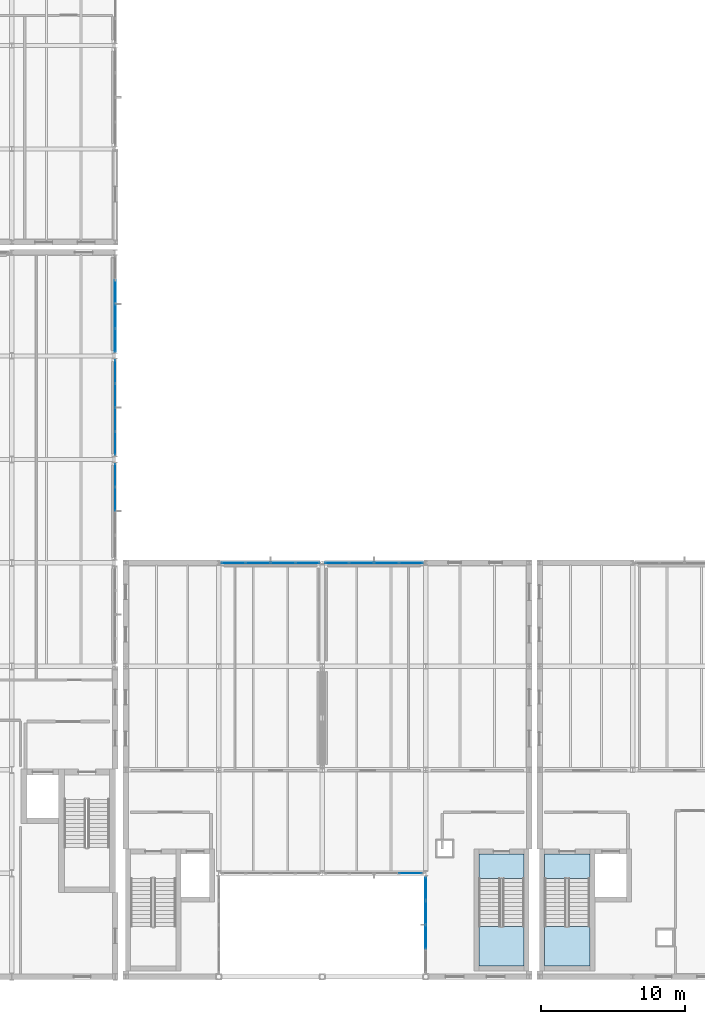
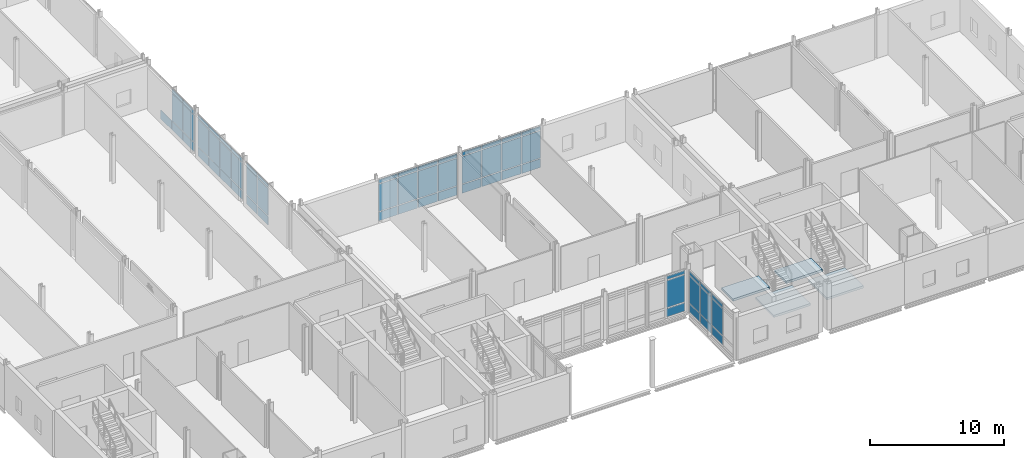
# One storey, part 35 of 72: 61 plates, 4 slabs, 9 elements without a shape of their own.
"""IFC4 building model written with IfcOpenShell, lengths in metres."""

from ifc_helpers import new_model, si_unit, direction, frame, origin, origin_2d, place, context, subcontext, project, spatial, polyline, rectangle, outline, extrude, material, layer, layer_set, type_object, element, aggregate, save


model = new_model("IFC4")

# Units and contexts
model_context = context("Model", 3, precision=1e-05, world=origin(), true_north=direction((0.0, 1.0)))
body_context = subcontext(model_context, "Body", "Model", "MODEL_VIEW")
ifc_project = project(units=[si_unit("LENGTHUNIT", "METRE"), si_unit("AREAUNIT", "SQUARE_METRE"), si_unit("VOLUMEUNIT", "CUBIC_METRE"), si_unit("PLANEANGLEUNIT", "RADIAN"), si_unit("MASSUNIT", "GRAM", prefix="KILO")], contexts=[model_context])

# Site, building, storey
site_placement = place(None, origin())
site = spatial("IfcSite", under=ifc_project, at=site_placement, CompositionType="ELEMENT")
building_placement = place(site_placement, origin())
building = spatial("IfcBuilding", under=site, at=building_placement, Name="Zarrinpeak Specialist Clinic", CompositionType="ELEMENT")
storey_placement = place(building_placement, frame((0.0, 0.0, 9.60009765625)))
storey = spatial("IfcBuildingStorey", under=building, at=storey_placement, Name="L02", CompositionType="ELEMENT", Elevation=9.60009765625)

# Curtain wall, plates
ifc_material_1 = material(Name="Anodised Aluminium Alloy 6063-T6", Category="aluminium")
ifc_layer_1 = layer(ifc_material_1, 0.179931640625)
ifc_layer_set_1 = layer_set([ifc_layer_1], Name="Anodised Aluminium Alloy 6063-T6")
curtain_wall_type_1 = type_object("IfcCurtainWallType", Name="CW-COURT", PredefinedType="NOTDEFINED", material=ifc_layer_set_1)
curtain_wall_1_placement = place(storey_placement, origin())
curtain_wall_1 = element("IfcCurtainWall", 1, at=curtain_wall_1_placement, inside=storey, type_object=curtain_wall_type_1, Name="L02 V1 Unitised Curtain Wall CW-L02-V1-016", PredefinedType="NOTDEFINED")
ifc_material_2 = material(Name="Double Low-E Insulated Glazing", Category="glass")
ifc_layer_2 = layer(ifc_material_2, 0.028076171875)
ifc_layer_set_2 = layer_set([ifc_layer_2], Name="Double Low-E Insulated Glazing")
plate_type_1 = type_object("IfcPlateType", Name="CWP-GLZ28", PredefinedType="CURTAIN_PANEL", material=ifc_layer_set_2)
plate_1_placement = place(storey_placement, frame((28.800048828125, 33.237548828125, 0.074951171875), z_axis=(0.0, 0.0, 1.0), x_axis=(0.0, 1.0, 0.0)))
plate_1 = element("IfcPlate", 2, at=plate_1_placement, type_object=plate_type_1, Name="CW-01 panel 3.1", PredefinedType="CURTAIN_PANEL", context=body_context, shape_type="SweptSolid", body=[
    extrude(rectangle(XDim=1.60009765625, YDim=0.028076171875, at=origin_2d()), origin(), (0.0, 0.0, 1.0), 0.78759765625),
])
plate_2_placement = place(storey_placement, frame((28.800048828125, 33.237548828125, 0.9375), z_axis=(0.0, 0.0, 1.0), x_axis=(0.0, 1.0, 0.0)))
plate_2 = element("IfcPlate", 3, at=plate_2_placement, type_object=plate_type_1, Name="CW-01 panel 3.2", PredefinedType="CURTAIN_PANEL", context=body_context, shape_type="SweptSolid", body=[
    extrude(rectangle(XDim=1.60009765625, YDim=0.028076171875, at=origin_2d()), origin(), (0.0, 0.0, 1.0), 2.4599609375),
])
plate_3_placement = place(storey_placement, frame((28.800048828125, 33.237548828125, 3.472412109375), z_axis=(0.0, 0.0, 1.0), x_axis=(0.0, 1.0, 0.0)))
plate_3 = element("IfcPlate", 4, at=plate_3_placement, type_object=plate_type_1, Name="CW-01 panel 3.3", PredefinedType="CURTAIN_PANEL", context=body_context, shape_type="SweptSolid", body=[
    extrude(rectangle(XDim=1.60009765625, YDim=0.028076171875, at=origin_2d()), origin(), (0.0, 0.0, 1.0), 0.33740234375),
])
plate_4_placement = place(storey_placement, frame((28.800048828125, 34.893798828125, 0.074951171875), z_axis=(0.0, 0.0, 1.0), x_axis=(0.0, 1.0, 0.0)))
plate_4 = element("IfcPlate", 5, at=plate_4_placement, type_object=plate_type_1, Name="CW-01 panel 4.1", PredefinedType="CURTAIN_PANEL", context=body_context, shape_type="SweptSolid", body=[
    extrude(rectangle(XDim=1.5625, YDim=0.028076171875, at=origin_2d()), origin(), (0.0, 0.0, 1.0), 0.78759765625),
])
plate_5_placement = place(storey_placement, frame((28.800048828125, 34.893798828125, 0.9375), z_axis=(0.0, 0.0, 1.0), x_axis=(0.0, 1.0, 0.0)))
plate_5 = element("IfcPlate", 6, at=plate_5_placement, type_object=plate_type_1, Name="CW-01 panel 4.2", PredefinedType="CURTAIN_PANEL", context=body_context, shape_type="SweptSolid", body=[
    extrude(rectangle(XDim=1.5625, YDim=0.028076171875, at=origin_2d()), origin(), (0.0, 0.0, 1.0), 2.4599609375),
])
plate_6_placement = place(storey_placement, frame((28.800048828125, 34.893798828125, 3.472412109375), z_axis=(0.0, 0.0, 1.0), x_axis=(0.0, 1.0, 0.0)))
plate_6 = element("IfcPlate", 7, at=plate_6_placement, type_object=plate_type_1, Name="CW-01 panel 4.3", PredefinedType="CURTAIN_PANEL", context=body_context, shape_type="SweptSolid", body=[
    extrude(rectangle(XDim=1.5625, YDim=0.028076171875, at=origin_2d()), origin(), (0.0, 0.0, 1.0), 0.33740234375),
])
aggregate(curtain_wall_1, [plate_1, plate_2, plate_3, plate_4, plate_5, plate_6])

curtain_wall_2_placement = place(storey_placement, origin())
curtain_wall_2 = element("IfcCurtainWall", 8, at=curtain_wall_2_placement, inside=storey, type_object=curtain_wall_type_1, Name="L02 V1 Unitised Curtain Wall CW-L02-V1-017", PredefinedType="NOTDEFINED")
plate_7_placement = place(storey_placement, frame((28.800048828125, 37.109375, 0.074951171875), z_axis=(0.0, 0.0, 1.0), x_axis=(0.0, 1.0, 0.0)))
plate_7 = element("IfcPlate", 9, at=plate_7_placement, type_object=plate_type_1, Name="CW-01 panel 1.1", PredefinedType="CURTAIN_PANEL", context=body_context, shape_type="SweptSolid", body=[
    extrude(rectangle(XDim=1.56884765625, YDim=0.028076171875, at=origin_2d()), origin(), (0.0, 0.0, 1.0), 0.78759765625),
])
plate_8_placement = place(storey_placement, frame((28.800048828125, 37.109375, 0.9375), z_axis=(0.0, 0.0, 1.0), x_axis=(0.0, 1.0, 0.0)))
plate_8 = element("IfcPlate", 10, at=plate_8_placement, type_object=plate_type_1, Name="CW-01 panel 1.2", PredefinedType="CURTAIN_PANEL", context=body_context, shape_type="SweptSolid", body=[
    extrude(rectangle(XDim=1.56884765625, YDim=0.028076171875, at=origin_2d()), origin(), (0.0, 0.0, 1.0), 2.4599609375),
])
plate_9_placement = place(storey_placement, frame((28.800048828125, 37.109375, 3.472412109375), z_axis=(0.0, 0.0, 1.0), x_axis=(0.0, 1.0, 0.0)))
plate_9 = element("IfcPlate", 11, at=plate_9_placement, type_object=plate_type_1, Name="CW-01 panel 1.3", PredefinedType="CURTAIN_PANEL", context=body_context, shape_type="SweptSolid", body=[
    extrude(rectangle(XDim=1.56884765625, YDim=0.028076171875, at=origin_2d()), origin(), (0.0, 0.0, 1.0), 0.33740234375),
])
plate_10_placement = place(storey_placement, frame((28.800048828125, 38.77197265625, 0.074951171875), z_axis=(0.0, 0.0, 1.0), x_axis=(0.0, 1.0, 0.0)))
plate_10 = element("IfcPlate", 12, at=plate_10_placement, type_object=plate_type_1, Name="CW-01 panel 2.1", PredefinedType="CURTAIN_PANEL", context=body_context, shape_type="SweptSolid", body=[
    extrude(rectangle(XDim=1.606201171875, YDim=0.028076171875, at=origin_2d()), origin(), (0.0, 0.0, 1.0), 0.78759765625),
])
plate_11_placement = place(storey_placement, frame((28.800048828125, 38.77197265625, 0.9375), z_axis=(0.0, 0.0, 1.0), x_axis=(0.0, 1.0, 0.0)))
plate_11 = element("IfcPlate", 13, at=plate_11_placement, type_object=plate_type_1, Name="CW-01 panel 2.2", PredefinedType="CURTAIN_PANEL", context=body_context, shape_type="SweptSolid", body=[
    extrude(rectangle(XDim=1.606201171875, YDim=0.028076171875, at=origin_2d()), origin(), (0.0, 0.0, 1.0), 2.4599609375),
])
plate_12_placement = place(storey_placement, frame((28.800048828125, 38.77197265625, 3.472412109375), z_axis=(0.0, 0.0, 1.0), x_axis=(0.0, 1.0, 0.0)))
plate_12 = element("IfcPlate", 14, at=plate_12_placement, type_object=plate_type_1, Name="CW-01 panel 2.3", PredefinedType="CURTAIN_PANEL", context=body_context, shape_type="SweptSolid", body=[
    extrude(rectangle(XDim=1.606201171875, YDim=0.028076171875, at=origin_2d()), origin(), (0.0, 0.0, 1.0), 0.33740234375),
])
plate_13_placement = place(storey_placement, frame((28.800048828125, 40.453125, 0.074951171875), z_axis=(0.0, 0.0, 1.0), x_axis=(0.0, 1.0, 0.0)))
plate_13 = element("IfcPlate", 15, at=plate_13_placement, type_object=plate_type_1, Name="CW-01 panel 3.1", PredefinedType="CURTAIN_PANEL", context=body_context, shape_type="SweptSolid", body=[
    extrude(rectangle(XDim=1.606201171875, YDim=0.028076171875, at=origin_2d()), origin(), (0.0, 0.0, 1.0), 0.78759765625),
])
plate_14_placement = place(storey_placement, frame((28.800048828125, 40.453125, 0.9375), z_axis=(0.0, 0.0, 1.0), x_axis=(0.0, 1.0, 0.0)))
plate_14 = element("IfcPlate", 16, at=plate_14_placement, type_object=plate_type_1, Name="CW-01 panel 3.2", PredefinedType="CURTAIN_PANEL", context=body_context, shape_type="SweptSolid", body=[
    extrude(rectangle(XDim=1.606201171875, YDim=0.028076171875, at=origin_2d()), origin(), (0.0, 0.0, 1.0), 2.4599609375),
])
plate_15_placement = place(storey_placement, frame((28.800048828125, 40.453125, 3.472412109375), z_axis=(0.0, 0.0, 1.0), x_axis=(0.0, 1.0, 0.0)))
plate_15 = element("IfcPlate", 17, at=plate_15_placement, type_object=plate_type_1, Name="CW-01 panel 3.3", PredefinedType="CURTAIN_PANEL", context=body_context, shape_type="SweptSolid", body=[
    extrude(rectangle(XDim=1.606201171875, YDim=0.028076171875, at=origin_2d()), origin(), (0.0, 0.0, 1.0), 0.33740234375),
])
plate_16_placement = place(storey_placement, frame((28.800048828125, 42.11572265625, 0.074951171875), z_axis=(0.0, 0.0, 1.0), x_axis=(0.0, 1.0, 0.0)))
plate_16 = element("IfcPlate", 18, at=plate_16_placement, type_object=plate_type_1, Name="CW-01 panel 4.1", PredefinedType="CURTAIN_PANEL", context=body_context, shape_type="SweptSolid", body=[
    extrude(rectangle(XDim=1.56884765625, YDim=0.028076171875, at=origin_2d()), origin(), (0.0, 0.0, 1.0), 0.78759765625),
])
plate_17_placement = place(storey_placement, frame((28.800048828125, 42.11572265625, 0.9375), z_axis=(0.0, 0.0, 1.0), x_axis=(0.0, 1.0, 0.0)))
plate_17 = element("IfcPlate", 19, at=plate_17_placement, type_object=plate_type_1, Name="CW-01 panel 4.2", PredefinedType="CURTAIN_PANEL", context=body_context, shape_type="SweptSolid", body=[
    extrude(rectangle(XDim=1.56884765625, YDim=0.028076171875, at=origin_2d()), origin(), (0.0, 0.0, 1.0), 2.4599609375),
])
plate_18_placement = place(storey_placement, frame((28.800048828125, 42.11572265625, 3.472412109375), z_axis=(0.0, 0.0, 1.0), x_axis=(0.0, 1.0, 0.0)))
plate_18 = element("IfcPlate", 20, at=plate_18_placement, type_object=plate_type_1, Name="CW-01 panel 4.3", PredefinedType="CURTAIN_PANEL", context=body_context, shape_type="SweptSolid", body=[
    extrude(rectangle(XDim=1.56884765625, YDim=0.028076171875, at=origin_2d()), origin(), (0.0, 0.0, 1.0), 0.33740234375),
])
aggregate(curtain_wall_2, [plate_7, plate_8, plate_9, plate_10, plate_11, plate_12, plate_13, plate_14, plate_15, plate_16, plate_17, plate_18])

ifc_layer_3 = layer(ifc_material_1, 0.18994140625)
ifc_layer_set_3 = layer_set([ifc_layer_3], Name="Anodised Aluminium Alloy 6063-T6")
curtain_wall_type_2 = type_object("IfcCurtainWallType", Name="CW-LOGGIA", PredefinedType="NOTDEFINED", material=ifc_layer_set_3)
curtain_wall_3_placement = place(storey_placement, origin())
curtain_wall_3 = element("IfcCurtainWall", 21, at=curtain_wall_3_placement, inside=storey, type_object=curtain_wall_type_2, Name="L02 V2 Unitised Curtain Wall CW-L02-V2-052", PredefinedType="NOTDEFINED")
plate_19_placement = place(storey_placement, frame((49.34619140625, 7.199951171875, 0.08984375), z_axis=(0.0, 0.0, 1.0), x_axis=(1.0, 0.0, 0.0)))
plate_19 = element("IfcPlate", 22, at=plate_19_placement, type_object=plate_type_1, Name="CW-04 panel 4.1", PredefinedType="CURTAIN_PANEL", context=body_context, shape_type="SweptSolid", body=[
    extrude(rectangle(XDim=1.577392578125, YDim=0.028076171875, at=origin_2d()), origin(), (0.0, 0.0, 1.0), 0.764892578125),
])
plate_20_placement = place(storey_placement, frame((49.34619140625, 7.199951171875, 0.94482421875), z_axis=(0.0, 0.0, 1.0), x_axis=(1.0, 0.0, 0.0)))
plate_20 = element("IfcPlate", 23, at=plate_20_placement, type_object=plate_type_1, Name="CW-04 panel 4.2", PredefinedType="CURTAIN_PANEL", context=body_context, shape_type="SweptSolid", body=[
    extrude(rectangle(XDim=1.577392578125, YDim=0.028076171875, at=origin_2d()), origin(), (0.0, 0.0, 1.0), 2.455078125),
])
plate_21_placement = place(storey_placement, frame((49.34619140625, 7.199951171875, 3.489990234375), z_axis=(0.0, 0.0, 1.0), x_axis=(1.0, 0.0, 0.0)))
plate_21 = element("IfcPlate", 24, at=plate_21_placement, type_object=plate_type_1, Name="CW-04 panel 4.3", PredefinedType="CURTAIN_PANEL", context=body_context, shape_type="SweptSolid", body=[
    extrude(rectangle(XDim=1.577392578125, YDim=0.028076171875, at=origin_2d()), origin(), (0.0, 0.0, 1.0), 0.31494140625),
])
aggregate(curtain_wall_3, [plate_19, plate_20, plate_21])

curtain_wall_4_placement = place(storey_placement, origin())
curtain_wall_4 = element("IfcCurtainWall", 25, at=curtain_wall_4_placement, inside=storey, type_object=curtain_wall_type_1, Name="L02 V2 Unitised Curtain Wall CW-L02-V2-055", PredefinedType="NOTDEFINED")
plate_22_placement = place(storey_placement, frame((42.172607421875, 28.800048828125, 0.074951171875), z_axis=(0.0, 0.0, 1.0), x_axis=(-1.0, 0.0, 0.0)))
plate_22 = element("IfcPlate", 26, at=plate_22_placement, type_object=plate_type_1, Name="CW-01 panel 1.1", PredefinedType="CURTAIN_PANEL", context=body_context, shape_type="SweptSolid", body=[
    extrude(rectangle(XDim=1.614990234375, YDim=0.028076171875, at=origin_2d()), origin(), (0.0, 0.0, 1.0), 0.78759765625),
])
plate_23_placement = place(storey_placement, frame((42.172607421875, 28.800048828125, 0.937255859375), z_axis=(0.0, 0.0, 1.0), x_axis=(-1.0, 0.0, 0.0)))
plate_23 = element("IfcPlate", 27, at=plate_23_placement, type_object=plate_type_1, Name="CW-01 panel 1.2", PredefinedType="CURTAIN_PANEL", context=body_context, shape_type="SweptSolid", body=[
    extrude(rectangle(XDim=1.614990234375, YDim=0.028076171875, at=origin_2d()), origin(), (0.0, 0.0, 1.0), 2.47509765625),
])
plate_24_placement = place(storey_placement, frame((42.172607421875, 28.800048828125, 3.487548828125), z_axis=(0.0, 0.0, 1.0), x_axis=(-1.0, 0.0, 0.0)))
plate_24 = element("IfcPlate", 28, at=plate_24_placement, type_object=plate_type_1, Name="CW-01 panel 1.3", PredefinedType="CURTAIN_PANEL", context=body_context, shape_type="SweptSolid", body=[
    extrude(rectangle(XDim=1.614990234375, YDim=0.028076171875, at=origin_2d()), origin(), (0.0, 0.0, 1.0), 0.33740234375),
])
plate_25_placement = place(storey_placement, frame((40.4638671875, 28.800048828125, 0.074951171875), z_axis=(0.0, 0.0, 1.0), x_axis=(-1.0, 0.0, 0.0)))
plate_25 = element("IfcPlate", 29, at=plate_25_placement, type_object=plate_type_1, Name="CW-01 panel 2.1", PredefinedType="CURTAIN_PANEL", context=body_context, shape_type="SweptSolid", body=[
    extrude(rectangle(XDim=1.652587890625, YDim=0.028076171875, at=origin_2d()), origin(), (0.0, 0.0, 1.0), 0.78759765625),
])
plate_26_placement = place(storey_placement, frame((40.4638671875, 28.800048828125, 0.937255859375), z_axis=(0.0, 0.0, 1.0), x_axis=(-1.0, 0.0, 0.0)))
plate_26 = element("IfcPlate", 30, at=plate_26_placement, type_object=plate_type_1, Name="CW-01 panel 2.2", PredefinedType="CURTAIN_PANEL", context=body_context, shape_type="SweptSolid", body=[
    extrude(rectangle(XDim=1.652587890625, YDim=0.028076171875, at=origin_2d()), origin(), (0.0, 0.0, 1.0), 2.47509765625),
])
plate_27_placement = place(storey_placement, frame((40.4638671875, 28.800048828125, 3.487548828125), z_axis=(0.0, 0.0, 1.0), x_axis=(-1.0, 0.0, 0.0)))
plate_27 = element("IfcPlate", 31, at=plate_27_placement, type_object=plate_type_1, Name="CW-01 panel 2.3", PredefinedType="CURTAIN_PANEL", context=body_context, shape_type="SweptSolid", body=[
    extrude(rectangle(XDim=1.652587890625, YDim=0.028076171875, at=origin_2d()), origin(), (0.0, 0.0, 1.0), 0.33740234375),
])
plate_28_placement = place(storey_placement, frame((38.736328125, 28.800048828125, 0.074951171875), z_axis=(0.0, 0.0, 1.0), x_axis=(-1.0, 0.0, 0.0)))
plate_28 = element("IfcPlate", 32, at=plate_28_placement, type_object=plate_type_1, Name="CW-01 panel 3.1", PredefinedType="CURTAIN_PANEL", context=body_context, shape_type="SweptSolid", body=[
    extrude(rectangle(XDim=1.652587890625, YDim=0.028076171875, at=origin_2d()), origin(), (0.0, 0.0, 1.0), 0.78759765625),
])
plate_29_placement = place(storey_placement, frame((38.736328125, 28.800048828125, 0.937255859375), z_axis=(0.0, 0.0, 1.0), x_axis=(-1.0, 0.0, 0.0)))
plate_29 = element("IfcPlate", 33, at=plate_29_placement, type_object=plate_type_1, Name="CW-01 panel 3.2", PredefinedType="CURTAIN_PANEL", context=body_context, shape_type="SweptSolid", body=[
    extrude(rectangle(XDim=1.652587890625, YDim=0.028076171875, at=origin_2d()), origin(), (0.0, 0.0, 1.0), 2.47509765625),
])
plate_30_placement = place(storey_placement, frame((38.736328125, 28.800048828125, 3.487548828125), z_axis=(0.0, 0.0, 1.0), x_axis=(-1.0, 0.0, 0.0)))
plate_30 = element("IfcPlate", 34, at=plate_30_placement, type_object=plate_type_1, Name="CW-01 panel 3.3", PredefinedType="CURTAIN_PANEL", context=body_context, shape_type="SweptSolid", body=[
    extrude(rectangle(XDim=1.652587890625, YDim=0.028076171875, at=origin_2d()), origin(), (0.0, 0.0, 1.0), 0.33740234375),
])
plate_31_placement = place(storey_placement, frame((37.027587890625, 28.800048828125, 0.074951171875), z_axis=(0.0, 0.0, 1.0), x_axis=(-1.0, 0.0, 0.0)))
plate_31 = element("IfcPlate", 35, at=plate_31_placement, type_object=plate_type_1, Name="CW-01 panel 4.1", PredefinedType="CURTAIN_PANEL", context=body_context, shape_type="SweptSolid", body=[
    extrude(rectangle(XDim=1.614990234375, YDim=0.028076171875, at=origin_2d()), origin(), (0.0, 0.0, 1.0), 0.78759765625),
])
plate_32_placement = place(storey_placement, frame((37.027587890625, 28.800048828125, 0.937255859375), z_axis=(0.0, 0.0, 1.0), x_axis=(-1.0, 0.0, 0.0)))
plate_32 = element("IfcPlate", 36, at=plate_32_placement, type_object=plate_type_1, Name="CW-01 panel 4.2", PredefinedType="CURTAIN_PANEL", context=body_context, shape_type="SweptSolid", body=[
    extrude(rectangle(XDim=1.614990234375, YDim=0.028076171875, at=origin_2d()), origin(), (0.0, 0.0, 1.0), 2.47509765625),
])
plate_33_placement = place(storey_placement, frame((37.027587890625, 28.800048828125, 3.487548828125), z_axis=(0.0, 0.0, 1.0), x_axis=(-1.0, 0.0, 0.0)))
plate_33 = element("IfcPlate", 37, at=plate_33_placement, type_object=plate_type_1, Name="CW-01 panel 4.3", PredefinedType="CURTAIN_PANEL", context=body_context, shape_type="SweptSolid", body=[
    extrude(rectangle(XDim=1.614990234375, YDim=0.028076171875, at=origin_2d()), origin(), (0.0, 0.0, 1.0), 0.33740234375),
])
aggregate(curtain_wall_4, [plate_22, plate_23, plate_24, plate_25, plate_26, plate_27, plate_28, plate_29, plate_30, plate_31, plate_32, plate_33])

curtain_wall_5_placement = place(storey_placement, origin())
curtain_wall_5 = element("IfcCurtainWall", 38, at=curtain_wall_5_placement, inside=storey, type_object=curtain_wall_type_1, Name="L02 V2 Unitised Curtain Wall CW-L02-V2-056", PredefinedType="NOTDEFINED")
plate_34_placement = place(storey_placement, frame((49.37255859375, 28.800048828125, 0.074951171875), z_axis=(0.0, 0.0, 1.0), x_axis=(-1.0, 0.0, 0.0)))
plate_34 = element("IfcPlate", 39, at=plate_34_placement, type_object=plate_type_1, Name="CW-01 panel 1.1", PredefinedType="CURTAIN_PANEL", context=body_context, shape_type="SweptSolid", body=[
    extrude(rectangle(XDim=1.614990234375, YDim=0.028076171875, at=origin_2d()), origin(), (0.0, 0.0, 1.0), 0.78759765625),
])
plate_35_placement = place(storey_placement, frame((49.37255859375, 28.800048828125, 0.937255859375), z_axis=(0.0, 0.0, 1.0), x_axis=(-1.0, 0.0, 0.0)))
plate_35 = element("IfcPlate", 40, at=plate_35_placement, type_object=plate_type_1, Name="CW-01 panel 1.2", PredefinedType="CURTAIN_PANEL", context=body_context, shape_type="SweptSolid", body=[
    extrude(rectangle(XDim=1.614990234375, YDim=0.028076171875, at=origin_2d()), origin(), (0.0, 0.0, 1.0), 2.47509765625),
])
plate_36_placement = place(storey_placement, frame((49.37255859375, 28.800048828125, 3.487548828125), z_axis=(0.0, 0.0, 1.0), x_axis=(-1.0, 0.0, 0.0)))
plate_36 = element("IfcPlate", 41, at=plate_36_placement, type_object=plate_type_1, Name="CW-01 panel 1.3", PredefinedType="CURTAIN_PANEL", context=body_context, shape_type="SweptSolid", body=[
    extrude(rectangle(XDim=1.614990234375, YDim=0.028076171875, at=origin_2d()), origin(), (0.0, 0.0, 1.0), 0.33740234375),
])
plate_37_placement = place(storey_placement, frame((47.663818359375, 28.800048828125, 0.074951171875), z_axis=(0.0, 0.0, 1.0), x_axis=(-1.0, 0.0, 0.0)))
plate_37 = element("IfcPlate", 42, at=plate_37_placement, type_object=plate_type_1, Name="CW-01 panel 2.1", PredefinedType="CURTAIN_PANEL", context=body_context, shape_type="SweptSolid", body=[
    extrude(rectangle(XDim=1.652587890625, YDim=0.028076171875, at=origin_2d()), origin(), (0.0, 0.0, 1.0), 0.78759765625),
])
plate_38_placement = place(storey_placement, frame((47.663818359375, 28.800048828125, 0.937255859375), z_axis=(0.0, 0.0, 1.0), x_axis=(-1.0, 0.0, 0.0)))
plate_38 = element("IfcPlate", 43, at=plate_38_placement, type_object=plate_type_1, Name="CW-01 panel 2.2", PredefinedType="CURTAIN_PANEL", context=body_context, shape_type="SweptSolid", body=[
    extrude(rectangle(XDim=1.652587890625, YDim=0.028076171875, at=origin_2d()), origin(), (0.0, 0.0, 1.0), 2.47509765625),
])
plate_39_placement = place(storey_placement, frame((47.663818359375, 28.800048828125, 3.487548828125), z_axis=(0.0, 0.0, 1.0), x_axis=(-1.0, 0.0, 0.0)))
plate_39 = element("IfcPlate", 44, at=plate_39_placement, type_object=plate_type_1, Name="CW-01 panel 2.3", PredefinedType="CURTAIN_PANEL", context=body_context, shape_type="SweptSolid", body=[
    extrude(rectangle(XDim=1.652587890625, YDim=0.028076171875, at=origin_2d()), origin(), (0.0, 0.0, 1.0), 0.33740234375),
])
plate_40_placement = place(storey_placement, frame((45.936279296875, 28.800048828125, 0.074951171875), z_axis=(0.0, 0.0, 1.0), x_axis=(-1.0, 0.0, 0.0)))
plate_40 = element("IfcPlate", 45, at=plate_40_placement, type_object=plate_type_1, Name="CW-01 panel 3.1", PredefinedType="CURTAIN_PANEL", context=body_context, shape_type="SweptSolid", body=[
    extrude(rectangle(XDim=1.652587890625, YDim=0.028076171875, at=origin_2d()), origin(), (0.0, 0.0, 1.0), 0.78759765625),
])
plate_41_placement = place(storey_placement, frame((45.936279296875, 28.800048828125, 0.937255859375), z_axis=(0.0, 0.0, 1.0), x_axis=(-1.0, 0.0, 0.0)))
plate_41 = element("IfcPlate", 46, at=plate_41_placement, type_object=plate_type_1, Name="CW-01 panel 3.2", PredefinedType="CURTAIN_PANEL", context=body_context, shape_type="SweptSolid", body=[
    extrude(rectangle(XDim=1.652587890625, YDim=0.028076171875, at=origin_2d()), origin(), (0.0, 0.0, 1.0), 2.47509765625),
])
plate_42_placement = place(storey_placement, frame((45.936279296875, 28.800048828125, 3.487548828125), z_axis=(0.0, 0.0, 1.0), x_axis=(-1.0, 0.0, 0.0)))
plate_42 = element("IfcPlate", 47, at=plate_42_placement, type_object=plate_type_1, Name="CW-01 panel 3.3", PredefinedType="CURTAIN_PANEL", context=body_context, shape_type="SweptSolid", body=[
    extrude(rectangle(XDim=1.652587890625, YDim=0.028076171875, at=origin_2d()), origin(), (0.0, 0.0, 1.0), 0.33740234375),
])
plate_43_placement = place(storey_placement, frame((44.2275390625, 28.800048828125, 0.074951171875), z_axis=(0.0, 0.0, 1.0), x_axis=(-1.0, 0.0, 0.0)))
plate_43 = element("IfcPlate", 48, at=plate_43_placement, type_object=plate_type_1, Name="CW-01 panel 4.1", PredefinedType="CURTAIN_PANEL", context=body_context, shape_type="SweptSolid", body=[
    extrude(rectangle(XDim=1.614990234375, YDim=0.028076171875, at=origin_2d()), origin(), (0.0, 0.0, 1.0), 0.78759765625),
])
plate_44_placement = place(storey_placement, frame((44.2275390625, 28.800048828125, 0.937255859375), z_axis=(0.0, 0.0, 1.0), x_axis=(-1.0, 0.0, 0.0)))
plate_44 = element("IfcPlate", 49, at=plate_44_placement, type_object=plate_type_1, Name="CW-01 panel 4.2", PredefinedType="CURTAIN_PANEL", context=body_context, shape_type="SweptSolid", body=[
    extrude(rectangle(XDim=1.614990234375, YDim=0.028076171875, at=origin_2d()), origin(), (0.0, 0.0, 1.0), 2.47509765625),
])
plate_45_placement = place(storey_placement, frame((44.2275390625, 28.800048828125, 3.487548828125), z_axis=(0.0, 0.0, 1.0), x_axis=(-1.0, 0.0, 0.0)))
plate_45 = element("IfcPlate", 50, at=plate_45_placement, type_object=plate_type_1, Name="CW-01 panel 4.3", PredefinedType="CURTAIN_PANEL", context=body_context, shape_type="SweptSolid", body=[
    extrude(rectangle(XDim=1.614990234375, YDim=0.028076171875, at=origin_2d()), origin(), (0.0, 0.0, 1.0), 0.33740234375),
])
aggregate(curtain_wall_5, [plate_34, plate_35, plate_36, plate_37, plate_38, plate_39, plate_40, plate_41, plate_42, plate_43, plate_44, plate_45])

curtain_wall_6_placement = place(storey_placement, origin())
curtain_wall_6 = element("IfcCurtainWall", 51, at=curtain_wall_6_placement, inside=storey, type_object=curtain_wall_type_1, Name="L02 V1 Unitised Curtain Wall CW-L02-V1-018", PredefinedType="NOTDEFINED")
ifc_material_3 = material(Name="Insulated Aluminium Spandrel Panel", Category="aluminium")
ifc_layer_4 = layer(ifc_material_3, 0.044921875)
ifc_layer_set_4 = layer_set([ifc_layer_4], Name="Insulated Aluminium Spandrel Panel")
plate_type_2 = type_object("IfcPlateType", Name="CWP-SPN45", PredefinedType="CURTAIN_PANEL", material=ifc_layer_set_4)
plate_46_placement = place(storey_placement, frame((28.800048828125, 44.2900390625, 0.074951171875), z_axis=(0.0, 0.0, 1.0), x_axis=(0.0, 1.0, 0.0)))
plate_46 = element("IfcPlate", 52, at=plate_46_placement, type_object=plate_type_2, Name="CW-01 panel 1.1", PredefinedType="CURTAIN_PANEL", context=body_context, shape_type="SweptSolid", body=[
    extrude(rectangle(XDim=1.580078125, YDim=0.044921875, at=origin_2d()), origin(), (0.0, 0.0, 1.0), 0.78759765625),
])
plate_47_placement = place(storey_placement, frame((28.800048828125, 44.2900390625, 0.9375), z_axis=(0.0, 0.0, 1.0), x_axis=(0.0, 1.0, 0.0)))
plate_47 = element("IfcPlate", 53, at=plate_47_placement, type_object=plate_type_2, Name="CW-01 panel 1.2", PredefinedType="CURTAIN_PANEL", context=body_context, shape_type="SweptSolid", body=[
    extrude(rectangle(XDim=1.580078125, YDim=0.044921875, at=origin_2d()), origin(), (0.0, 0.0, 1.0), 2.4599609375),
])
plate_48_placement = place(storey_placement, frame((28.800048828125, 44.2900390625, 3.472412109375), z_axis=(0.0, 0.0, 1.0), x_axis=(0.0, 1.0, 0.0)))
plate_48 = element("IfcPlate", 54, at=plate_48_placement, type_object=plate_type_2, Name="CW-01 panel 1.3", PredefinedType="CURTAIN_PANEL", context=body_context, shape_type="SweptSolid", body=[
    extrude(rectangle(XDim=1.580078125, YDim=0.044921875, at=origin_2d()), origin(), (0.0, 0.0, 1.0), 0.33740234375),
])
plate_49_placement = place(storey_placement, frame((28.800048828125, 45.9638671875, 0.074951171875), z_axis=(0.0, 0.0, 1.0), x_axis=(0.0, 1.0, 0.0)))
plate_49 = element("IfcPlate", 55, at=plate_49_placement, type_object=plate_type_2, Name="CW-01 panel 2.1", PredefinedType="CURTAIN_PANEL", context=body_context, shape_type="SweptSolid", body=[
    extrude(rectangle(XDim=1.617431640625, YDim=0.044921875, at=origin_2d()), origin(), (0.0, 0.0, 1.0), 0.78759765625),
])
plate_50_placement = place(storey_placement, frame((28.800048828125, 45.9638671875, 0.9375), z_axis=(0.0, 0.0, 1.0), x_axis=(0.0, 1.0, 0.0)))
plate_50 = element("IfcPlate", 56, at=plate_50_placement, type_object=plate_type_2, Name="CW-01 panel 2.2", PredefinedType="CURTAIN_PANEL", context=body_context, shape_type="SweptSolid", body=[
    extrude(rectangle(XDim=1.617431640625, YDim=0.044921875, at=origin_2d()), origin(), (0.0, 0.0, 1.0), 2.4599609375),
])
plate_51_placement = place(storey_placement, frame((28.800048828125, 45.9638671875, 3.472412109375), z_axis=(0.0, 0.0, 1.0), x_axis=(0.0, 1.0, 0.0)))
plate_51 = element("IfcPlate", 57, at=plate_51_placement, type_object=plate_type_2, Name="CW-01 panel 2.3", PredefinedType="CURTAIN_PANEL", context=body_context, shape_type="SweptSolid", body=[
    extrude(rectangle(XDim=1.617431640625, YDim=0.044921875, at=origin_2d()), origin(), (0.0, 0.0, 1.0), 0.33740234375),
])
plate_52_placement = place(storey_placement, frame((28.800048828125, 47.65625, 0.074951171875), z_axis=(0.0, 0.0, 1.0), x_axis=(0.0, 1.0, 0.0)))
plate_52 = element("IfcPlate", 58, at=plate_52_placement, type_object=plate_type_2, Name="CW-01 panel 3.1", PredefinedType="CURTAIN_PANEL", context=body_context, shape_type="SweptSolid", body=[
    extrude(rectangle(XDim=1.617431640625, YDim=0.044921875, at=origin_2d()), origin(), (0.0, 0.0, 1.0), 0.78759765625),
])
aggregate(curtain_wall_6, [plate_46, plate_47, plate_48, plate_49, plate_50, plate_51, plate_52])

curtain_wall_7_placement = place(storey_placement, origin())
curtain_wall_7 = element("IfcCurtainWall", 59, at=curtain_wall_7_placement, inside=storey, type_object=curtain_wall_type_2, Name="L02 V2 Unitised Curtain Wall CW-L02-V2-054", PredefinedType="NOTDEFINED")
plate_53_placement = place(storey_placement, frame((50.39990234375, 6.126708984375, 0.08984375), z_axis=(0.0, 0.0, 1.0), x_axis=(0.0, -1.0, 0.0)))
plate_53 = element("IfcPlate", 60, at=plate_53_placement, type_object=plate_type_2, Name="CW-04 panel 1.1", PredefinedType="CURTAIN_PANEL", context=body_context, shape_type="SweptSolid", body=[
    extrude(rectangle(XDim=1.556640625, YDim=0.044921875, at=origin_2d()), origin(), (0.0, 0.0, 1.0), 0.764892578125),
])
plate_54_placement = place(storey_placement, frame((50.39990234375, 6.126708984375, 0.94482421875), z_axis=(0.0, 0.0, 1.0), x_axis=(0.0, -1.0, 0.0)))
plate_54 = element("IfcPlate", 61, at=plate_54_placement, type_object=plate_type_2, Name="CW-04 panel 1.2", PredefinedType="CURTAIN_PANEL", context=body_context, shape_type="SweptSolid", body=[
    extrude(rectangle(XDim=1.556640625, YDim=0.044921875, at=origin_2d()), origin(), (0.0, 0.0, 1.0), 2.445068359375),
])
plate_55_placement = place(storey_placement, frame((50.39990234375, 6.126708984375, 3.47998046875), z_axis=(0.0, 0.0, 1.0), x_axis=(0.0, -1.0, 0.0)))
plate_55 = element("IfcPlate", 62, at=plate_55_placement, type_object=plate_type_2, Name="CW-04 panel 1.3", PredefinedType="CURTAIN_PANEL", context=body_context, shape_type="SweptSolid", body=[
    extrude(rectangle(XDim=1.556640625, YDim=0.044921875, at=origin_2d()), origin(), (0.0, 0.0, 1.0), 0.31494140625),
])
plate_56_placement = place(storey_placement, frame((50.39990234375, 4.45751953125, 0.08984375), z_axis=(0.0, 0.0, 1.0), x_axis=(0.0, -1.0, 0.0)))
plate_56 = element("IfcPlate", 63, at=plate_56_placement, type_object=plate_type_2, Name="CW-04 panel 2.1", PredefinedType="CURTAIN_PANEL", context=body_context, shape_type="SweptSolid", body=[
    extrude(rectangle(XDim=1.601806640625, YDim=0.044921875, at=origin_2d()), origin(), (0.0, 0.0, 1.0), 0.764892578125),
])
plate_57_placement = place(storey_placement, frame((50.39990234375, 4.45751953125, 0.94482421875), z_axis=(0.0, 0.0, 1.0), x_axis=(0.0, -1.0, 0.0)))
plate_57 = element("IfcPlate", 64, at=plate_57_placement, type_object=plate_type_2, Name="CW-04 panel 2.2", PredefinedType="CURTAIN_PANEL", context=body_context, shape_type="SweptSolid", body=[
    extrude(rectangle(XDim=1.601806640625, YDim=0.044921875, at=origin_2d()), origin(), (0.0, 0.0, 1.0), 2.445068359375),
])
plate_58_placement = place(storey_placement, frame((50.39990234375, 4.45751953125, 3.47998046875), z_axis=(0.0, 0.0, 1.0), x_axis=(0.0, -1.0, 0.0)))
plate_58 = element("IfcPlate", 65, at=plate_58_placement, type_object=plate_type_2, Name="CW-04 panel 2.3", PredefinedType="CURTAIN_PANEL", context=body_context, shape_type="SweptSolid", body=[
    extrude(rectangle(XDim=1.601806640625, YDim=0.044921875, at=origin_2d()), origin(), (0.0, 0.0, 1.0), 0.31494140625),
])
plate_59_placement = place(storey_placement, frame((50.39990234375, 2.765869140625, 0.08984375), z_axis=(0.0, 0.0, 1.0), x_axis=(0.0, -1.0, 0.0)))
plate_59 = element("IfcPlate", 66, at=plate_59_placement, type_object=plate_type_2, Name="CW-04 panel 3.1", PredefinedType="CURTAIN_PANEL", context=body_context, shape_type="SweptSolid", body=[
    extrude(rectangle(XDim=1.601806640625, YDim=0.044921875, at=origin_2d()), origin(), (0.0, 0.0, 1.0), 0.764892578125),
])
plate_60_placement = place(storey_placement, frame((50.39990234375, 2.765869140625, 0.94482421875), z_axis=(0.0, 0.0, 1.0), x_axis=(0.0, -1.0, 0.0)))
plate_60 = element("IfcPlate", 67, at=plate_60_placement, type_object=plate_type_2, Name="CW-04 panel 3.2", PredefinedType="CURTAIN_PANEL", context=body_context, shape_type="SweptSolid", body=[
    extrude(rectangle(XDim=1.601806640625, YDim=0.044921875, at=origin_2d()), origin(), (0.0, 0.0, 1.0), 2.445068359375),
])
plate_61_placement = place(storey_placement, frame((50.39990234375, 2.765869140625, 3.47998046875), z_axis=(0.0, 0.0, 1.0), x_axis=(0.0, -1.0, 0.0)))
plate_61 = element("IfcPlate", 68, at=plate_61_placement, type_object=plate_type_2, Name="CW-04 panel 3.3", PredefinedType="CURTAIN_PANEL", context=body_context, shape_type="SweptSolid", body=[
    extrude(rectangle(XDim=1.601806640625, YDim=0.044921875, at=origin_2d()), origin(), (0.0, 0.0, 1.0), 0.31494140625),
])
aggregate(curtain_wall_7, [plate_53, plate_54, plate_55, plate_56, plate_57, plate_58, plate_59, plate_60, plate_61])

# Slabs
ifc_material_4 = material(Name="Concrete C35/45", Category="concrete")
ifc_layer_5 = layer(ifc_material_4, 0.215087890625)
ifc_layer_set_5 = layer_set([ifc_layer_5], Name="Concrete C35/45")
slab_type_1 = type_object("IfcSlabType", Name="SL-FLR215", PredefinedType="FLOOR", material=ifc_layer_set_5)
slab_1_placement = place(storey_placement, frame((0.0, 0.0, -0.215087890625)))
element("IfcSlab", 69, at=slab_1_placement, inside=storey, type_object=slab_type_1, Name="L02 Core C04 Stairwell Floor Landing Slab", PredefinedType="FLOOR", context=body_context, shape_type="SweptSolid", body=[
    extrude(outline(polyline([(54.10009765625, 6.85009765625), (57.25, 6.85009765625), (57.25, 8.550048828125), (54.10009765625, 8.550048828125), (54.10009765625, 6.85009765625)])), origin(), (0.0, 0.0, 1.0), 0.215087890625),
])
slab_2_placement = place(storey_placement, frame((0.0, 0.0, -0.215087890625)))
element("IfcSlab", 70, at=slab_2_placement, inside=storey, type_object=slab_type_1, Name="L02 Core C07 Stairwell Floor Landing Slab", PredefinedType="FLOOR", context=body_context, shape_type="SweptSolid", body=[
    extrude(outline(polyline([(58.669921875, 6.85009765625), (61.820068359375, 6.85009765625), (61.820068359375, 8.550048828125), (58.669921875, 8.550048828125), (58.669921875, 6.85009765625)])), origin(), (0.0, 0.0, 1.0), 0.215087890625),
])

# Stair, slab
stair_type = type_object("IfcStairType", Name="ST-DOG", PredefinedType="HALF_TURN_STAIR", material=ifc_material_4)
stair_1_placement = place(storey_placement, origin())
stair_1 = element("IfcStair", 71, at=stair_1_placement, inside=storey, type_object=stair_type, Name="L02 Protected Exit Stair ST-04", PredefinedType="HALF_TURN_STAIR")
ifc_layer_6 = layer(ifc_material_4, 0.199951171875)
ifc_layer_set_6 = layer_set([ifc_layer_6], Name="Concrete C35/45")
slab_type_2 = type_object("IfcSlabType", Name="SL-LAND200", PredefinedType="LANDING", material=ifc_layer_set_6)
slab_3_placement = place(storey_placement, frame((0.0, 0.0, 2.0)))
slab_3 = element("IfcSlab", 72, at=slab_3_placement, type_object=slab_type_2, Name="ST-04 landing 1", PredefinedType="LANDING", context=body_context, shape_type="SweptSolid", body=[
    extrude(outline(polyline([(54.10009765625, 3.489990234375), (54.10009765625, 0.75), (57.25, 0.75), (57.25, 3.489990234375), (54.10009765625, 3.489990234375)])), origin(), (0.0, 0.0, 1.0), 0.199951171875),
])
aggregate(stair_1, [slab_3])

stair_2_placement = place(storey_placement, origin())
stair_2 = element("IfcStair", 73, at=stair_2_placement, inside=storey, type_object=stair_type, Name="L02 Protected Exit Stair ST-07", PredefinedType="HALF_TURN_STAIR")
slab_4_placement = place(storey_placement, frame((0.0, 0.0, 2.0)))
slab_4 = element("IfcSlab", 74, at=slab_4_placement, type_object=slab_type_2, Name="ST-07 landing 1", PredefinedType="LANDING", context=body_context, shape_type="SweptSolid", body=[
    extrude(outline(polyline([(58.669921875, 3.489990234375), (58.669921875, 0.75), (61.820068359375, 0.75), (61.820068359375, 3.489990234375), (58.669921875, 3.489990234375)])), origin(), (0.0, 0.0, 1.0), 0.199951171875),
])
aggregate(stair_2, [slab_4])

save(model, "model.ifc")
